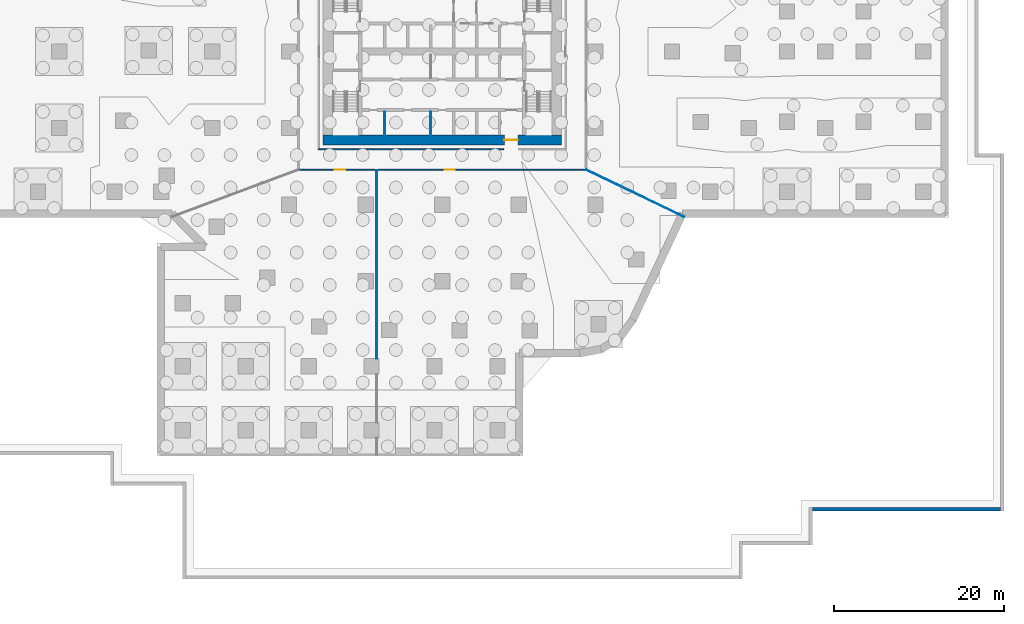
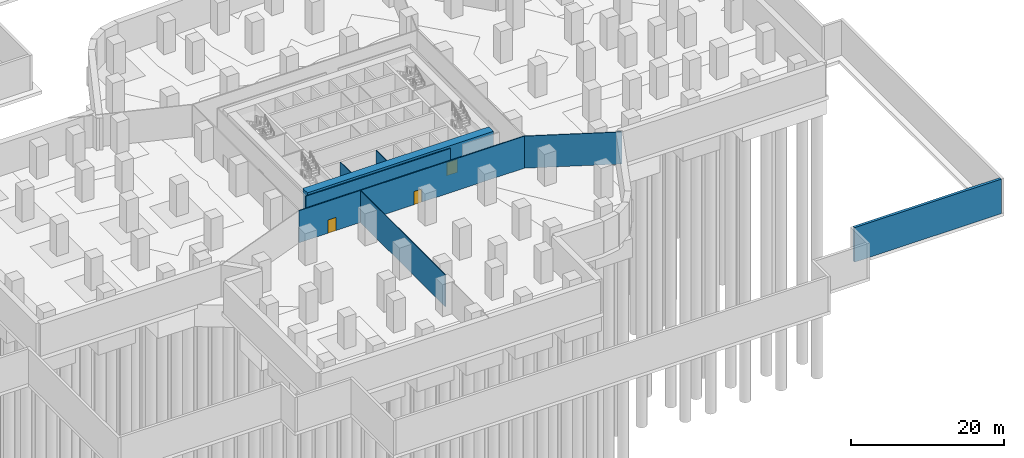
# One storey, part 6 of 12: 8 walls, 3 doors, 3 openings.
"""IFC4 building model written with IfcOpenShell, lengths in metres."""

from ifc_helpers import new_model, si_unit, direction, frame, frame_2d, origin, place, context, subcontext, project, spatial, rectangle, extrude, material, layer, layer_set, type_object, element, fill, save


model = new_model("IFC4")

# Units and contexts
model_context = context("Model", 3, precision=1e-05, world=origin(), true_north=direction((0.0, 1.0)))
body_context = subcontext(model_context, "Body", "Model", "MODEL_VIEW")
ifc_project = project(units=[si_unit("LENGTHUNIT", "METRE"), si_unit("AREAUNIT", "SQUARE_METRE"), si_unit("VOLUMEUNIT", "CUBIC_METRE"), si_unit("PLANEANGLEUNIT", "RADIAN"), si_unit("MASSUNIT", "GRAM", prefix="KILO")], contexts=[model_context])

# Site, building, storey
site_placement = place(None, origin())
site = spatial("IfcSite", under=ifc_project, at=site_placement, CompositionType="ELEMENT")
building_placement = place(site_placement, origin())
building = spatial("IfcBuilding", under=site, at=building_placement, Name="Dongbaek Canopy Tower", CompositionType="ELEMENT")
storey_placement = place(building_placement, frame((0.0, 0.0, -17.0)))
storey = spatial("IfcBuildingStorey", under=building, at=storey_placement, Name="B3", CompositionType="ELEMENT", Elevation=-17.0)

# Wall, opening, door
ifc_material_1 = material(Name="Concrete C60/75", Category="concrete")
ifc_layer_1 = layer(ifc_material_1, 1.199951171875)
ifc_layer_set_1 = layer_set([ifc_layer_1], Name="Core outer wall 1200 Concrete C60/75")
wall_type_1 = type_object("IfcWallType", Name="Core outer wall 1200 Concrete C60/75", PredefinedType="SHEAR", material=ifc_layer_set_1)
wall_1_placement = place(storey_placement, frame((14.0, -10.39990234375, 0.0), z_axis=(0.0, 0.0, 1.0), x_axis=(-1.0, 0.0, 0.0)))
wall_1 = element("IfcWall", 1, at=wall_1_placement, inside=storey, type_object=wall_type_1, Name="Core wall", PredefinedType="SHEAR", context=body_context, shape_type="SweptSolid", body=[
    extrude(rectangle(XDim=28.0, YDim=1.199951171875, at=frame_2d((14.0, 0.0))), origin(), (0.0, 0.0, 1.0), 5.10009765625),
])
opening_1_placement = place(wall_1_placement, frame((5.10009765625, 0.0, 0.0)))
opening_1 = element("IfcOpeningElement", 2, at=opening_1_placement, cuts=wall_1, Name="Opening B3-D021", PredefinedType="OPENING", context=body_context, shape_type="SweptSolid", body=[
    extrude(rectangle(XDim=1.60009765625, YDim=2.10009765625, at=frame_2d((0.800048828125, 1.050048828125))), frame((0.0, 0.60986328125, 0.0), z_axis=(0.0, -1.0, 0.0), x_axis=(1.0, 0.0, 0.0)), (0.0, 0.0, 1.0), 1.219970703125),
])
ifc_material_2 = material(Name="Steel", Category="steel")
door_type_1 = type_object("IfcDoorType", Name="Core exit door 1600 x 2100", OperationType="DOUBLE_DOOR_SINGLE_SWING", PredefinedType="DOOR", material=ifc_material_2)
door_1_placement = place(opening_1_placement, origin())
door_1 = element("IfcDoor", 3, at=door_1_placement, inside=storey, type_object=door_type_1, Name="Core exit door", OperationType="DOUBLE_DOOR_SINGLE_SWING", OverallHeight=2.10009765625, OverallWidth=1.60009765625, PredefinedType="DOOR", context=body_context, shape_type="SweptSolid", body=[
    extrude(rectangle(XDim=1.60009765625, YDim=2.10009765625, at=frame_2d((0.800048828125, 1.050048828125))), frame((0.0, 0.02490234375, 0.0), z_axis=(0.0, -1.0, 0.0), x_axis=(1.0, 0.0, 0.0)), (0.0, 0.0, 1.0), 0.050048828125),
])
fill(opening_1, door_1)

# Wall, openings, doors
ifc_material_3 = material(Name="Gypsum board partition, steel stud, 2 x 15 mm fire board", Category="steel")
ifc_layer_2 = layer(ifc_material_3, 0.14990234375)
ifc_layer_set_2 = layer_set([ifc_layer_2], Name="Fire-rated partition 150 gypsum board")
wall_type_2 = type_object("IfcWallType", Name="Fire-rated partition 150 gypsum board", PredefinedType="PARTITIONING", material=ifc_layer_set_2)
wall_2_placement = place(storey_placement, frame((16.97509765625, -13.89990234375, 0.0), z_axis=(0.0, 0.0, 1.0), x_axis=(-1.0, 0.0, 0.0)))
wall_2 = element("IfcWall", 4, at=wall_2_placement, inside=storey, type_object=wall_type_2, Name="Corridor partition", PredefinedType="PARTITIONING", context=body_context, shape_type="SweptSolid", body=[
    extrude(rectangle(XDim=33.9501953125, YDim=0.14990234375, at=frame_2d((16.97509765625, 0.0))), origin(), (0.0, 0.0, 1.0), 5.10009765625),
])
opening_2_placement = place(wall_2_placement, frame((28.375, 0.0, 0.0)))
opening_2 = element("IfcOpeningElement", 5, at=opening_2_placement, cuts=wall_2, Name="Opening B3-D002", PredefinedType="OPENING", context=body_context, shape_type="SweptSolid", body=[
    extrude(rectangle(XDim=1.199951171875, YDim=2.10009765625, at=frame_2d((0.60009765625, 1.050048828125))), frame((0.0, 0.0849609375, 0.0), z_axis=(0.0, -1.0, 0.0), x_axis=(1.0, 0.0, 0.0)), (0.0, 0.0, 1.0), 0.169921875),
])
opening_3_placement = place(wall_2_placement, frame((15.47509765625, 0.0, 0.0)))
opening_3 = element("IfcOpeningElement", 6, at=opening_3_placement, cuts=wall_2, Name="Opening B3-D003", PredefinedType="OPENING", context=body_context, shape_type="SweptSolid", body=[
    extrude(rectangle(XDim=1.199951171875, YDim=2.10009765625, at=frame_2d((0.60009765625, 1.050048828125))), frame((0.0, 0.0849609375, 0.0), z_axis=(0.0, -1.0, 0.0), x_axis=(1.0, 0.0, 0.0)), (0.0, 0.0, 1.0), 0.169921875),
])
ifc_material_4 = material(Name="Timber veneered door leaf", Category="wood")
door_type_2 = type_object("IfcDoorType", Name="Room door 1200 x 2100", OperationType="SINGLE_SWING_LEFT", PredefinedType="DOOR", material=ifc_material_4)
door_2_placement = place(opening_2_placement, origin())
door_2 = element("IfcDoor", 7, at=door_2_placement, inside=storey, type_object=door_type_2, Name="Door B3-D002", OperationType="SINGLE_SWING_LEFT", OverallHeight=2.10009765625, OverallWidth=1.199951171875, PredefinedType="DOOR", context=body_context, shape_type="SweptSolid", body=[
    extrude(rectangle(XDim=1.199951171875, YDim=2.10009765625, at=frame_2d((0.60009765625, 1.050048828125))), frame((0.0, 0.02490234375, 0.0), z_axis=(0.0, -1.0, 0.0), x_axis=(1.0, 0.0, 0.0)), (0.0, 0.0, 1.0), 0.050048828125),
])
fill(opening_2, door_2)
door_3_placement = place(opening_3_placement, origin())
door_3 = element("IfcDoor", 8, at=door_3_placement, inside=storey, type_object=door_type_2, Name="Door B3-D003", OperationType="SINGLE_SWING_RIGHT", OverallHeight=2.10009765625, OverallWidth=1.199951171875, PredefinedType="DOOR", context=body_context, shape_type="SweptSolid", body=[
    extrude(rectangle(XDim=1.199951171875, YDim=2.10009765625, at=frame_2d((0.60009765625, 1.050048828125))), frame((0.0, 0.02490234375, 0.0), z_axis=(0.0, -1.0, 0.0), x_axis=(1.0, 0.0, 0.0)), (0.0, 0.0, 1.0), 0.050048828125),
])
fill(opening_3, door_3)

# Walls
wall_3_placement = place(storey_placement, frame((-14.574951171875, -11.5, 0.0), z_axis=(0.0, 0.0, 1.0), x_axis=(1.0, 0.0, 0.0)))
element("IfcWall", 9, at=wall_3_placement, inside=storey, type_object=wall_type_2, Name="Corridor partition", PredefinedType="PARTITIONING", context=body_context, shape_type="SweptSolid", body=[
    extrude(rectangle(XDim=21.77490234375, YDim=0.14990234375, at=frame_2d((10.887451171875, 0.0))), origin(), (0.0, 0.0, 1.0), 5.10009765625),
])
ifc_material_5 = material(Name="Gypsum board partition, steel stud, 2 x 12.5 mm board", Category="steel")
ifc_layer_3 = layer(ifc_material_5, 0.10009765625)
ifc_layer_set_3 = layer_set([ifc_layer_3], Name="Partition 100 gypsum board")
wall_type_3 = type_object("IfcWallType", Name="Partition 100 gypsum board", PredefinedType="PARTITIONING", material=ifc_layer_set_3)
wall_4_placement = place(storey_placement, frame((-7.699951171875, -36.10009765625, 0.0), z_axis=(0.0, 0.0, 1.0), x_axis=(0.0, 1.0, 0.0)))
element("IfcWall", 10, at=wall_4_placement, inside=storey, type_object=wall_type_3, Name="Partition", PredefinedType="PARTITIONING", context=body_context, shape_type="SweptSolid", body=[
    extrude(rectangle(XDim=22.125, YDim=0.10009765625, at=frame_2d((11.0625, 0.0))), origin(), (0.0, 0.0, 1.0), 5.10009765625),
])
wall_5_placement = place(storey_placement, frame((16.900146484375, -13.899658203125, 0.0), z_axis=(0.0, 0.0, 1.0), x_axis=(0.901001946138, -0.433815044754, 0.0)))
element("IfcWall", 11, at=wall_5_placement, inside=storey, type_object=wall_type_3, Name="Partition", PredefinedType="PARTITIONING", context=body_context, shape_type="SweptSolid", body=[
    extrude(rectangle(XDim=12.787841796875, YDim=0.10009765625, at=frame_2d((6.39404296875, 0.0))), origin(), (0.0, 0.0, 1.0), 5.10009765625),
])
for number, where, z_axis, x_axis, name in (
    (12, (-1.35009765625, -9.800048828125, 0.0), (0.0, 0.0, 1.0), (0.0, 1.0, 0.0), "Core partition"),
    (13, (-6.75, -9.800048828125, 0.0), (0.0, 0.0, 1.0), (0.0, 1.0, 0.0), "Core partition"),
):
    element("IfcWall", number, at=place(storey_placement, frame(where, z_axis=z_axis, x_axis=x_axis)), inside=storey, type_object=wall_type_3, Name=name, PredefinedType="PARTITIONING", context=body_context, shape_type="SweptSolid", body=[
        extrude(rectangle(XDim=2.72509765625, YDim=0.10009765625, at=frame_2d((1.362548828125, 0.0))), origin(), (0.0, 0.0, 1.0), 5.10009765625),
    ])
ifc_material_6 = material(Name="Concrete C40/50", Category="concrete")
ifc_layer_4 = layer(ifc_material_6, 0.39990234375)
ifc_layer_set_4 = layer_set([ifc_layer_4], Name="Plaza plinth wall 400")
wall_type_4 = type_object("IfcWallType", Name="Plaza plinth wall 400", PredefinedType="SOLIDWALL", material=ifc_layer_set_4)
wall_6_placement = place(storey_placement, frame((43.5, -53.800048828125, 0.0), z_axis=(0.0, 0.0, 1.0), x_axis=(1.0, 0.0, 0.0)))
element("IfcWall", 14, at=wall_6_placement, inside=storey, type_object=wall_type_4, Name="Plaza plinth wall 58", PredefinedType="SOLIDWALL", context=body_context, shape_type="SweptSolid", body=[
    extrude(rectangle(XDim=22.10009765625, YDim=0.39990234375, at=frame_2d((11.050048828125, 0.0))), origin(), (0.0, 0.0, 1.0), 5.5),
])

save(model, "model.ifc")
